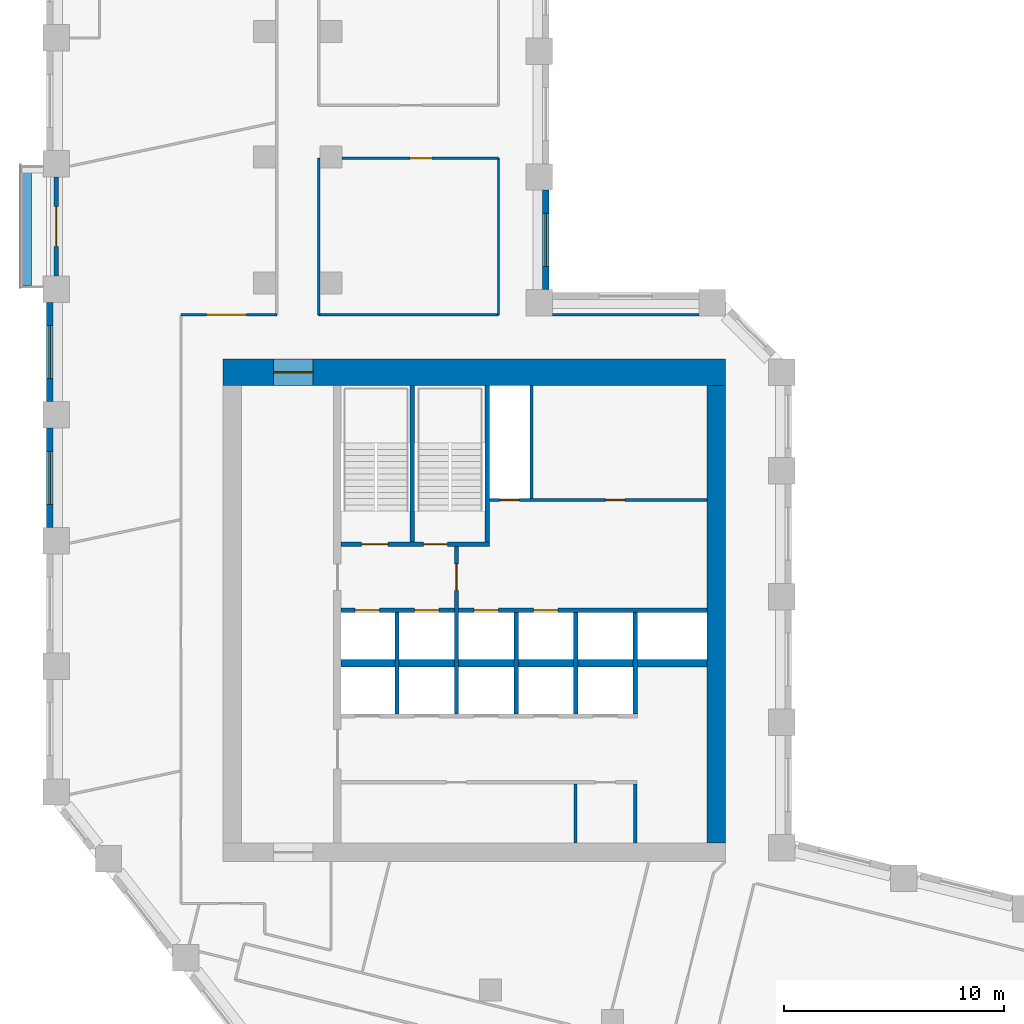
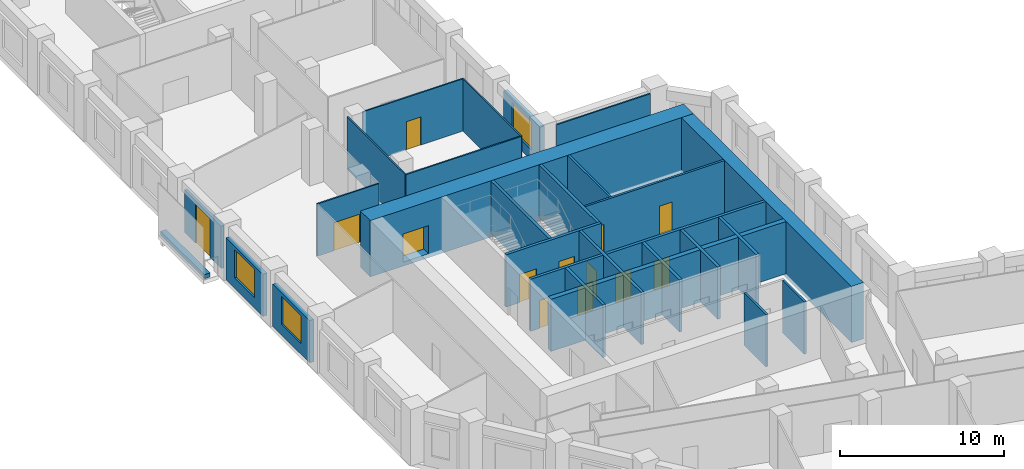
# One storey, part 5 of 10: 27 walls, 13 doors, 3 windows, 16 openings.
"""IFC4 building model written with IfcOpenShell, lengths in metres."""

import ifcopenshell
import ifcopenshell.guid

model = None  # the IFC model being written
_history = None  # IfcOwnerHistory: only IFC2X3 demands one
_inside = {}  # id of a spatial element -> (the spatial element, [elements in it])
_under = {}  # id of a project, library or spatial element -> (it, [spatial elements below it])
_declared = {}  # id of a project -> (the project, [libraries it declares])
_typed = {}  # id of a type object -> (the type object, [elements of that type])
_made_of = {}  # id of a material, layer set ... -> (it, [elements and type objects made of it])


def new_model(schema):
    """Start an empty IFC model of exactly this schema.

    Asked for "IFC4X3", IfcOpenShell would pick the latest addendum, in which some entities
    have other attributes; the version numbers below select the first issue.
    IFC2X3 requires an IfcOwnerHistory on every rooted entity: one is made here for all.
    """
    global model, _history
    if schema == "IFC4X3":
        model = ifcopenshell.file(schema_version=(4, 3, 0, 0))
    else:
        model = ifcopenshell.file(schema=schema)
    _inside.clear()
    _under.clear()
    _declared.clear()
    _typed.clear()
    _made_of.clear()
    _history = None
    if model.schema == "IFC2X3":
        org = make("IfcOrganization", Name="unknown")
        user = make(
            "IfcPersonAndOrganization",
            ThePerson=make("IfcPerson", FamilyName="unknown"),
            TheOrganization=org,
        )
        app = make(
            "IfcApplication",
            ApplicationDeveloper=org,
            Version="unknown",
            ApplicationFullName="unknown",
            ApplicationIdentifier="unknown",
        )
        _history = make(
            "IfcOwnerHistory",
            OwningUser=user,
            OwningApplication=app,
            ChangeAction="ADDED",
            CreationDate=0,
        )
    return model


def make(cls, **values):
    """One entity of the class cls with the attributes given. An attribute that is None is left unset."""
    return model.create_entity(
        cls, **{name: value for name, value in values.items() if value is not None}
    )


def rooted(cls, **values):
    """An entity with a GlobalId (a new one), such as an element, a storey or a relation."""
    return make(cls, GlobalId=ifcopenshell.guid.new(), OwnerHistory=_history, **values)


def si_unit(unit_type, name, prefix=None):
    """IfcSIUnit, for example si_unit("LENGTHUNIT", "METRE", prefix="MILLI")."""
    return make("IfcSIUnit", UnitType=unit_type, Prefix=prefix, Name=name)


def assignment(units):
    """IfcUnitAssignment: the units of a project."""
    return None if units is None else make("IfcUnitAssignment", Units=units)


def point(xyz):
    """IfcCartesianPoint."""
    return None if xyz is None else make("IfcCartesianPoint", Coordinates=xyz)


def direction(xyz):
    """IfcDirection."""
    return None if xyz is None else make("IfcDirection", DirectionRatios=xyz)


def frame(location, z_axis=None, x_axis=None):
    """IfcAxis2Placement3D, a coordinate frame: its origin and axes. An axis left out is left unset."""
    return make(
        "IfcAxis2Placement3D",
        Location=point(location),
        Axis=direction(z_axis),
        RefDirection=direction(x_axis),
    )


def frame_2d(location, x_axis=None):
    """IfcAxis2Placement2D, a coordinate frame in the plane: its origin and x axis."""
    return make(
        "IfcAxis2Placement2D", Location=point(location), RefDirection=direction(x_axis)
    )


def origin():
    """The frame at (0, 0, 0) with its axes left unset."""
    return frame((0.0, 0.0, 0.0))


def place(relative_to, where):
    """IfcLocalPlacement: puts the frame where relative to a parent placement (None: the world)."""
    return make(
        "IfcLocalPlacement", PlacementRelTo=relative_to, RelativePlacement=where
    )


def context(
    kind, dimensions, precision=None, world=None, true_north=None, identifier=None
):
    """IfcGeometricRepresentationContext, for example the 3D "Model" context."""
    return make(
        "IfcGeometricRepresentationContext",
        ContextIdentifier=identifier,
        ContextType=kind,
        CoordinateSpaceDimension=dimensions,
        Precision=precision,
        WorldCoordinateSystem=world,
        TrueNorth=true_north,
    )


def subcontext(parent, identifier, kind, view, scale=None):
    """IfcGeometricRepresentationSubContext, for example "Body" below "Model"."""
    return make(
        "IfcGeometricRepresentationSubContext",
        ContextIdentifier=identifier,
        ContextType=kind,
        ParentContext=parent,
        TargetScale=scale,
        TargetView=view,
    )


def project(units=None, contexts=None):
    """IfcProject with its units and contexts."""
    return rooted(
        "IfcProject",
        Name="project",
        RepresentationContexts=contexts,
        UnitsInContext=assignment(units),
    )


def spatial(cls, under=None, at=None, **own):
    """A site, building, storey or space (cls), placed at a placement, below another one or the project."""
    s = rooted(cls, ObjectPlacement=at, **own)
    if under is not None:
        _under.setdefault(under.id(), (under, []))[1].append(s)
    return s


def profile(cls, at=None, kind="AREA", **sizes):
    """A parametric profile (cls). Its sizes go by their IFC names, for example OverallWidth=200.0."""
    return make(cls, ProfileType=kind, Position=at, **sizes)


def rectangle(**sizes):
    """IfcRectangleProfileDef."""
    return profile("IfcRectangleProfileDef", **sizes)


def extrude(swept, where, along, depth):
    """IfcExtrudedAreaSolid: the profile swept, set in the frame where, extruded along a direction by depth."""
    return make(
        "IfcExtrudedAreaSolid",
        SweptArea=swept,
        Position=where,
        ExtrudedDirection=direction(along),
        Depth=depth,
    )


def shape(context_of_items, identifier, shape_type, items):
    """IfcShapeRepresentation: the items that make up one representation, for example the "Body"."""
    return make(
        "IfcShapeRepresentation",
        ContextOfItems=context_of_items,
        RepresentationIdentifier=identifier,
        RepresentationType=shape_type,
        Items=items,
    )


def material(Name=None, Category=None):
    """IfcMaterial."""
    return make("IfcMaterial", Name=Name, Category=Category)


def layer(
    of_material, thickness, ventilated=None, Name=None, Category=None, Priority=None
):
    """IfcMaterialLayer: one layer of a wall or slab, of a material (None: an air gap)."""
    return make(
        "IfcMaterialLayer",
        Material=of_material,
        LayerThickness=thickness,
        IsVentilated=ventilated,
        Name=Name,
        Category=Category,
        Priority=Priority,
    )


def layer_set(layers, Name=None):
    """IfcMaterialLayerSet."""
    return make("IfcMaterialLayerSet", MaterialLayers=layers, LayerSetName=Name)


def made_of(thing, what):
    """Note that an element or type object is made of a material, layer set ...; save() writes the relation."""
    if what is not None:
        _made_of.setdefault(what.id(), (what, []))[1].append(thing)
    return thing


def type_object(cls, material=None, **own):
    """A type object (cls), such as IfcWallType, which elements share."""
    return made_of(rooted(cls, **own), material)


def element(
    cls,
    number,
    at=None,
    inside=None,
    cuts=None,
    type_object=None,
    material=None,
    context=None,
    identifier="Body",
    shape_type=None,
    held_by="IfcProductDefinitionShape",
    body=None,
    shapes=None,
    **own,
):
    """One element of the class cls, such as IfcWall. Its Tag is "e" and its number.

    at: its placement. inside: the storey or other place that contains it. cuts: it is an
    opening in that element (IfcRelVoidsElement). A single representation is given by context,
    identifier, shape_type and body (its items); several are given by shapes. held_by: the class
    of the entity that holds the representations. save() writes the other relations.
    """
    e = rooted(cls, Tag="e%d" % number, ObjectPlacement=at, **own)
    if body is not None:
        shapes = [shape(context, identifier, shape_type, body)]
    if shapes is not None:
        e.Representation = make(held_by, Representations=shapes)
    if inside is not None:
        _inside.setdefault(inside.id(), (inside, []))[1].append(e)
    if cuts is not None:
        rooted(
            "IfcRelVoidsElement", RelatingBuildingElement=cuts, RelatedOpeningElement=e
        )
    if type_object is not None:
        _typed.setdefault(type_object.id(), (type_object, []))[1].append(e)
    return made_of(e, material)


def fill(opening, filler):
    """IfcRelFillsElement: the door or window that sits in an opening."""
    return rooted(
        "IfcRelFillsElement",
        RelatingOpeningElement=opening,
        RelatedBuildingElement=filler,
    )


def aggregate(whole, parts):
    """IfcRelAggregates: a whole, such as a stair, and the parts it consists of."""
    return rooted("IfcRelAggregates", RelatingObject=whole, RelatedObjects=parts)


def save(model, path):
    """Write the relations noted so far, then the file.

    IfcRelAggregates (storeys below a building ...), IfcRelContainedInSpatialStructure (elements
    in a storey), IfcRelDefinesByType, IfcRelAssociatesMaterial and IfcRelDeclares: one each for
    every whole, place, type object, material and project.
    """
    for whole, parts in _under.values():
        aggregate(whole, parts)
    for where, things in _inside.values():
        rooted(
            "IfcRelContainedInSpatialStructure",
            RelatedElements=things,
            RelatingStructure=where,
        )
    for kind, things in _typed.values():
        rooted("IfcRelDefinesByType", RelatedObjects=things, RelatingType=kind)
    for what, things in _made_of.values():
        rooted("IfcRelAssociatesMaterial", RelatedObjects=things, RelatingMaterial=what)
    for by, libraries in _declared.values():
        rooted("IfcRelDeclares", RelatingContext=by, RelatedDefinitions=libraries)
    model.write(path)


model = new_model("IFC4")

# Units and contexts
model_context = context("Model", 3, precision=1e-05, world=origin(), true_north=direction((0.0, 1.0)))
body_context = subcontext(model_context, "Body", "Model", "MODEL_VIEW")
ifc_project = project(units=[si_unit("LENGTHUNIT", "METRE"), si_unit("AREAUNIT", "SQUARE_METRE"), si_unit("VOLUMEUNIT", "CUBIC_METRE"), si_unit("PLANEANGLEUNIT", "RADIAN"), si_unit("MASSUNIT", "GRAM", prefix="KILO")], contexts=[model_context])

# Site, building, storey
site_placement = place(None, origin())
site = spatial("IfcSite", under=ifc_project, at=site_placement, CompositionType="ELEMENT")
building_placement = place(site_placement, origin())
building = spatial("IfcBuilding", under=site, at=building_placement, Name="Meshkara Civic Tower", CompositionType="ELEMENT")
storey_placement = place(building_placement, frame((0.0, 0.0, 174.0)))
storey = spatial("IfcBuildingStorey", under=building, at=storey_placement, Name="L39", CompositionType="ELEMENT", Elevation=174.0)

# Wall, openings, doors
ifc_material_1 = material(Name="Blockwork", Category="masonry")
ifc_layer_1 = layer(ifc_material_1, 0.14990234375)
ifc_layer_set_1 = layer_set([ifc_layer_1], Name="Core partition 150")
wall_type_1 = type_object("IfcWallType", Name="Core partition 150", PredefinedType="PARTITIONING", material=ifc_layer_set_1)
wall_1_placement = place(storey_placement, frame((20.10009765625, 30.5, 0.0), z_axis=(0.0, 0.0, 1.0), x_axis=(1.0, 0.0, 0.0)))
wall_1 = element("IfcWall", 1, at=wall_1_placement, inside=storey, type_object=wall_type_1, Name="L39-C010", PredefinedType="PARTITIONING", context=body_context, shape_type="SweptSolid", body=[
    extrude(rectangle(XDim=9.849853515625, YDim=0.14990234375, at=frame_2d((4.9248046875, 0.0))), origin(), (0.0, 0.0, 1.0), 3.89990234375),
])
opening_1_placement = place(wall_1_placement, frame((0.449951171875, 0.0, 0.0)))
opening_1 = element("IfcOpeningElement", 2, at=opening_1_placement, cuts=wall_1, Name="Opening L39-K012", PredefinedType="OPENING", context=body_context, shape_type="SweptSolid", body=[
    extrude(rectangle(XDim=0.89990234375, YDim=2.10009765625, at=frame_2d((0.449951171875, 1.050048828125))), frame((0.0, 0.0849609375, 0.0), z_axis=(0.0, -1.0, 0.0), x_axis=(1.0, 0.0, 0.0)), (0.0, 0.0, 1.0), 0.169921875),
])
opening_2_placement = place(wall_1_placement, frame((5.25, 0.0, 0.0)))
opening_2 = element("IfcOpeningElement", 3, at=opening_2_placement, cuts=wall_1, Name="Opening L39-K013", PredefinedType="OPENING", context=body_context, shape_type="SweptSolid", body=[
    extrude(rectangle(XDim=0.89990234375, YDim=2.10009765625, at=frame_2d((0.449951171875, 1.050048828125))), frame((0.0, 0.0849609375, 0.0), z_axis=(0.0, -1.0, 0.0), x_axis=(1.0, 0.0, 0.0)), (0.0, 0.0, 1.0), 0.169921875),
])
ifc_material_2 = material(Name="Timber door leaf in steel frame", Category="steel")
door_type_1 = type_object("IfcDoorType", Name="Core room door 900", OperationType="SINGLE_SWING_LEFT", PredefinedType="DOOR", material=ifc_material_2)
door_1_placement = place(opening_2_placement, origin())
door_1 = element("IfcDoor", 4, at=door_1_placement, inside=storey, type_object=door_type_1, Name="L39-K013", OperationType="SINGLE_SWING_LEFT", OverallHeight=2.10009765625, OverallWidth=0.89990234375, PredefinedType="DOOR", context=body_context, shape_type="SweptSolid", body=[
    extrude(rectangle(XDim=0.89990234375, YDim=2.10009765625, at=frame_2d((0.449951171875, 1.050048828125))), frame((0.0, 0.02490234375, 0.0), z_axis=(0.0, -1.0, 0.0), x_axis=(1.0, 0.0, 0.0)), (0.0, 0.0, 1.0), 0.050048828125),
])
fill(opening_2, door_1)
ifc_material_3 = material(Name="Fire-rated door leaf in steel frame", Category="steel")
door_type_2 = type_object("IfcDoorType", Name="Riser door 900", OperationType="SINGLE_SWING_LEFT", PredefinedType="DOOR", material=ifc_material_3)
door_2_placement = place(opening_1_placement, origin())
door_2 = element("IfcDoor", 5, at=door_2_placement, inside=storey, type_object=door_type_2, Name="L39-K012", OperationType="SINGLE_SWING_RIGHT", OverallHeight=2.10009765625, OverallWidth=0.89990234375, PredefinedType="DOOR", context=body_context, shape_type="SweptSolid", body=[
    extrude(rectangle(XDim=0.89990234375, YDim=2.10009765625, at=frame_2d((0.449951171875, 1.050048828125))), frame((0.0, 0.02490234375, 0.0), z_axis=(0.0, -1.0, 0.0), x_axis=(1.0, 0.0, 0.0)), (0.0, 0.0, 1.0), 0.050048828125),
])
fill(opening_1, door_2)

# Walls
wall_2_placement = place(storey_placement, frame((22.0, 30.574951171875, 0.0), z_axis=(0.0, 0.0, 1.0), x_axis=(0.0, 1.0, 0.0)))
element("IfcWall", 6, at=wall_2_placement, inside=storey, type_object=wall_type_1, Name="L39-C017", PredefinedType="PARTITIONING", context=body_context, shape_type="SweptSolid", body=[
    extrude(rectangle(XDim=5.125, YDim=0.14990234375, at=frame_2d((2.5625, 0.0))), origin(), (0.0, 0.0, 1.0), 3.89990234375),
])
for number, where, z_axis, x_axis, name in (
    (7, (24.0, 14.949951171875, 0.0), (0.0, 0.0, 1.0), (0.0, 1.0, 0.0), "L39-C018"),
    (8, (26.699951171875, 14.949951171875, 0.0), (0.0, 0.0, 1.0), (0.0, 1.0, 0.0), "L39-C020"),
):
    element("IfcWall", number, at=place(storey_placement, frame(where, z_axis=z_axis, x_axis=x_axis)), inside=storey, type_object=wall_type_1, Name=name, PredefinedType="PARTITIONING", context=body_context, shape_type="SweptSolid", body=[
        extrude(rectangle(XDim=2.675048828125, YDim=0.14990234375, at=frame_2d((1.33740234375, 0.0))), origin(), (0.0, 0.0, 1.0), 3.89990234375),
    ])

# Wall, opening, door
ifc_material_4 = material(Name="Concrete C70", Category="concrete")
ifc_layer_2 = layer(ifc_material_4, 1.199951171875)
ifc_layer_set_2 = layer_set([ifc_layer_2], Name="Core ring wall 1200 C70")
wall_type_2 = type_object("IfcWallType", Name="Core ring wall 1200 C70", PredefinedType="SHEAR", material=ifc_layer_set_2)
wall_3_placement = place(storey_placement, frame((8.0, 36.300048828125, -0.300048828125), z_axis=(0.0, 0.0, 1.0), x_axis=(1.0, 0.0, 0.0)))
wall_3 = element("IfcWall", 9, at=wall_3_placement, inside=storey, type_object=wall_type_2, Name="L39-C002", PredefinedType="SHEAR", context=body_context, shape_type="SweptSolid", body=[
    extrude(rectangle(XDim=22.800048828125, YDim=1.199951171875, at=frame_2d((11.39990234375, 0.0))), origin(), (0.0, 0.0, 1.0), 4.199951171875),
])
opening_3_placement = place(wall_3_placement, frame((2.300048828125, 0.0, 0.300048828125)))
opening_3 = element("IfcOpeningElement", 10, at=opening_3_placement, cuts=wall_3, Name="Opening L39-K019", PredefinedType="OPENING", context=body_context, shape_type="SweptSolid", body=[
    extrude(rectangle(XDim=1.800048828125, YDim=2.10009765625, at=frame_2d((0.89990234375, 1.050048828125))), frame((0.0, 0.60986328125, 0.0), z_axis=(0.0, -1.0, 0.0), x_axis=(1.0, 0.0, 0.0)), (0.0, 0.0, 1.0), 1.219970703125),
])
ifc_material_5 = material(Name="Fire-rated door leaf in steel frame", Category="steel")
door_type_3 = type_object("IfcDoorType", Name="Core double door 1800 EI 60", OperationType="DOUBLE_DOOR_SINGLE_SWING", PredefinedType="DOOR", material=ifc_material_5)
door_3_placement = place(opening_3_placement, origin())
door_3 = element("IfcDoor", 11, at=door_3_placement, inside=storey, type_object=door_type_3, Name="L39-K019", OperationType="DOUBLE_DOOR_SINGLE_SWING", OverallHeight=2.10009765625, OverallWidth=1.800048828125, PredefinedType="DOOR", context=body_context, shape_type="SweptSolid", body=[
    extrude(rectangle(XDim=1.800048828125, YDim=2.10009765625, at=frame_2d((0.89990234375, 1.050048828125))), frame((0.0, 0.02490234375, 0.0), z_axis=(0.0, -1.0, 0.0), x_axis=(1.0, 0.0, 0.0)), (0.0, 0.0, 1.0), 0.050048828125),
])
fill(opening_3, door_3)

# Walls
ifc_material_6 = material(Name="Concrete C70", Category="concrete")
ifc_layer_3 = layer(ifc_material_6, 0.85009765625)
ifc_layer_set_3 = layer_set([ifc_layer_3], Name="Core ring wall 850 C70")
wall_type_3 = type_object("IfcWallType", Name="Core ring wall 850 C70", PredefinedType="SHEAR", material=ifc_layer_set_3)
wall_4_placement = place(storey_placement, frame((30.375, 14.949951171875, -0.300048828125), z_axis=(0.0, 0.0, 1.0), x_axis=(0.0, 1.0, 0.0)))
element("IfcWall", 12, at=wall_4_placement, inside=storey, type_object=wall_type_3, Name="L39-C004", PredefinedType="SHEAR", context=body_context, shape_type="SweptSolid", body=[
    extrude(rectangle(XDim=20.75, YDim=0.85009765625, at=frame_2d((10.375, 0.0))), origin(), (0.0, 0.0, 1.0), 4.199951171875),
])
ifc_material_7 = material(Name="Concrete C70", Category="concrete")
ifc_layer_4 = layer(ifc_material_7, 0.340087890625)
ifc_layer_set_4 = layer_set([ifc_layer_4], Name="Core shear wall 340 C70")
wall_type_4 = type_object("IfcWallType", Name="Core shear wall 340 C70", PredefinedType="SHEAR", material=ifc_layer_set_4)
wall_5_placement = place(storey_placement, frame((13.3701171875, 23.10009765625, 0.0), z_axis=(0.0, 0.0, 1.0), x_axis=(1.0, 0.0, 0.0)))
element("IfcWall", 13, at=wall_5_placement, inside=storey, type_object=wall_type_4, Name="L39-C007", PredefinedType="SHEAR", context=body_context, shape_type="SweptSolid", body=[
    extrude(rectangle(XDim=16.579833984375, YDim=0.340087890625, at=frame_2d((8.2900390625, 0.0))), origin(), (0.0, 0.0, 1.0), 3.89990234375),
])

# Wall, opening, door
ifc_material_8 = material(Name="Corridor wall 100")
ifc_layer_5 = layer(ifc_material_8, 0.10009765625)
ifc_layer_set_5 = layer_set([ifc_layer_5], Name="Corridor wall 100")
wall_type_5 = type_object("IfcWallType", Name="Corridor wall 100", PredefinedType="PARTITIONING", material=ifc_layer_set_5)
wall_6_placement = place(storey_placement, frame((10.449951171875, 38.89990234375, 0.0), z_axis=(0.0, 0.0, 1.0), x_axis=(-1.0, 0.0, 0.0)))
wall_6 = element("IfcWall", 14, at=wall_6_placement, inside=storey, type_object=wall_type_5, Name="L39-W011", PredefinedType="PARTITIONING", context=body_context, shape_type="SweptSolid", body=[
    extrude(rectangle(XDim=4.349853515625, YDim=0.10009765625, at=frame_2d((2.1748046875, 0.0))), origin(), (0.0, 0.0, 1.0), 3.89990234375),
])
opening_4_placement = place(wall_6_placement, frame((1.3798828125, 0.0, 0.0)))
opening_4 = element("IfcOpeningElement", 15, at=opening_4_placement, cuts=wall_6, Name="Opening L39-D017", PredefinedType="OPENING", context=body_context, shape_type="SweptSolid", body=[
    extrude(rectangle(XDim=1.800048828125, YDim=2.10009765625, at=frame_2d((0.89990234375, 1.050048828125))), frame((0.0, 0.06005859375, 0.0), z_axis=(0.0, -1.0, 0.0), x_axis=(1.0, 0.0, 0.0)), (0.0, 0.0, 1.0), 0.1201171875),
])
ifc_material_9 = material(Name="Door pair 1800 x 2100")
door_type_4 = type_object("IfcDoorType", Name="Door pair 1800 x 2100", OperationType="SINGLE_SWING_LEFT", PredefinedType="DOOR", material=ifc_material_9)
door_4_placement = place(opening_4_placement, origin())
door_4 = element("IfcDoor", 16, at=door_4_placement, inside=storey, type_object=door_type_4, Name="L39-D017", OperationType="DOUBLE_DOOR_SINGLE_SWING", OverallHeight=2.10009765625, OverallWidth=1.800048828125, PredefinedType="DOOR", context=body_context, shape_type="SweptSolid", body=[
    extrude(rectangle(XDim=1.800048828125, YDim=2.10009765625, at=frame_2d((0.89990234375, 1.050048828125))), frame((0.0, 0.02490234375, 0.0), z_axis=(0.0, -1.0, 0.0), x_axis=(1.0, 0.0, 0.0)), (0.0, 0.0, 1.0), 0.050048828125),
])
fill(opening_4, door_4)

# Wall
wall_7_placement = place(storey_placement, frame((12.35009765625, 38.89990234375, 0.0), z_axis=(0.0, 0.0, 1.0), x_axis=(0.0, 1.0, 0.0)))
element("IfcWall", 17, at=wall_7_placement, inside=storey, type_object=wall_type_5, Name="L39-W013", PredefinedType="PARTITIONING", context=body_context, shape_type="SweptSolid", body=[
    extrude(rectangle(XDim=7.10009765625, YDim=0.10009765625, at=frame_2d((3.550048828125, 0.0))), origin(), (0.0, 0.0, 1.0), 3.89990234375),
])

# Wall, opening, door
wall_8_placement = place(storey_placement, frame((13.39990234375, 46.0, 0.0), z_axis=(0.0, 0.0, 1.0), x_axis=(1.0, 0.0, 0.0)))
wall_8 = element("IfcWall", 18, at=wall_8_placement, inside=storey, type_object=wall_type_5, Name="L39-W017", PredefinedType="PARTITIONING", context=body_context, shape_type="SweptSolid", body=[
    extrude(rectangle(XDim=7.10009765625, YDim=0.10009765625, at=frame_2d((3.550048828125, 0.0))), origin(), (0.0, 0.0, 1.0), 3.89990234375),
])
opening_5_placement = place(wall_8_placement, frame((3.080078125, 0.0, 0.0)))
opening_5 = element("IfcOpeningElement", 19, at=opening_5_placement, cuts=wall_8, Name="Opening L39-D018", PredefinedType="OPENING", context=body_context, shape_type="SweptSolid", body=[
    extrude(rectangle(XDim=1.0, YDim=2.10009765625, at=frame_2d((0.5, 1.050048828125))), frame((0.0, 0.06005859375, 0.0), z_axis=(0.0, -1.0, 0.0), x_axis=(1.0, 0.0, 0.0)), (0.0, 0.0, 1.0), 0.1201171875),
])
ifc_material_10 = material(Name="Door 1000 x 2100")
door_type_5 = type_object("IfcDoorType", Name="Door 1000 x 2100", OperationType="SINGLE_SWING_LEFT", PredefinedType="DOOR", material=ifc_material_10)
door_5_placement = place(opening_5_placement, origin())
door_5 = element("IfcDoor", 20, at=door_5_placement, inside=storey, type_object=door_type_5, Name="L39-D018", OperationType="SINGLE_SWING_LEFT", OverallHeight=2.10009765625, OverallWidth=1.0, PredefinedType="DOOR", context=body_context, shape_type="SweptSolid", body=[
    extrude(rectangle(XDim=1.0, YDim=2.10009765625, at=frame_2d((0.5, 1.050048828125))), frame((0.0, 0.02490234375, 0.0), z_axis=(0.0, -1.0, 0.0), x_axis=(1.0, 0.0, 0.0)), (0.0, 0.0, 1.0), 0.050048828125),
])
fill(opening_5, door_5)

# Walls
wall_9_placement = place(storey_placement, frame((20.5, 38.89990234375, 0.0), z_axis=(0.0, 0.0, 1.0), x_axis=(-1.0, 0.0, 0.0)))
element("IfcWall", 21, at=wall_9_placement, inside=storey, type_object=wall_type_5, Name="L39-W020", PredefinedType="PARTITIONING", context=body_context, shape_type="SweptSolid", body=[
    extrude(rectangle(XDim=8.14990234375, YDim=0.10009765625, at=frame_2d((4.074951171875, 0.0))), origin(), (0.0, 0.0, 1.0), 3.89990234375),
])
wall_10_placement = place(storey_placement, frame((20.5, 46.0, 0.0), z_axis=(0.0, 0.0, 1.0), x_axis=(0.0, -1.0, 0.0)))
element("IfcWall", 22, at=wall_10_placement, inside=storey, type_object=wall_type_5, Name="L39-W021", PredefinedType="PARTITIONING", context=body_context, shape_type="SweptSolid", body=[
    extrude(rectangle(XDim=7.10009765625, YDim=0.10009765625, at=frame_2d((3.550048828125, 0.0))), origin(), (0.0, 0.0, 1.0), 3.89990234375),
])
wall_11_placement = place(storey_placement, frame((29.593994140625, 38.89990234375, 0.0), z_axis=(0.0, 0.0, 1.0), x_axis=(-1.0, 0.0, 0.0)))
element("IfcWall", 23, at=wall_11_placement, inside=storey, type_object=wall_type_5, Name="L39-W025", PredefinedType="PARTITIONING", context=body_context, shape_type="SweptSolid", body=[
    extrude(rectangle(XDim=6.64404296875, YDim=0.10009765625, at=frame_2d((3.322021484375, 0.0))), origin(), (0.0, 0.0, 1.0), 3.89990234375),
])

# Wall, opening, window
ifc_material_11 = material(Name="Insulated infill panel with bronze anodised aluminium cladding", Category="aluminium")
ifc_layer_6 = layer(ifc_material_11, 0.300048828125)
ifc_layer_set_6 = layer_set([ifc_layer_6], Name="EXTERNAL INFILL WALL 300")
wall_type_6 = type_object("IfcWallType", Name="EXTERNAL INFILL WALL 300", PredefinedType="SOLIDWALL", material=ifc_layer_set_6)
wall_12_placement = place(storey_placement, frame((22.64990234375, 40.050048828125, 0.0), z_axis=(0.0, 0.0, 1.0), x_axis=(0.0, 1.0, 0.0)))
wall_12 = element("IfcWall", 24, at=wall_12_placement, inside=storey, type_object=wall_type_6, Name="External wall", PredefinedType="SOLIDWALL", context=body_context, shape_type="SweptSolid", body=[
    extrude(rectangle(XDim=4.5, YDim=0.300048828125, at=frame_2d((2.25, 0.0))), origin(), (0.0, 0.0, 1.0), 3.14990234375),
])
opening_6_placement = place(wall_12_placement, frame((1.050048828125, 0.0, 0.800048828125)))
opening_6 = element("IfcOpeningElement", 25, at=opening_6_placement, cuts=wall_12, Name="Opening W7", PredefinedType="OPENING", context=body_context, shape_type="SweptSolid", body=[
    extrude(rectangle(XDim=2.39990234375, YDim=2.10009765625, at=frame_2d((1.199951171875, 1.050048828125))), frame((0.0, 0.159912109375, 0.0), z_axis=(0.0, -1.0, 0.0), x_axis=(1.0, 0.0, 0.0)), (0.0, 0.0, 1.0), 0.320068359375),
])
ifc_material_12 = material(Name="Tinted double glazing", Category="glass")
window_type = type_object("IfcWindowType", Name="WINDOW 2400x2100", PartitioningType="DOUBLE_PANEL_VERTICAL", PredefinedType="WINDOW", material=ifc_material_12)
window_1_placement = place(opening_6_placement, origin())
window_1 = element("IfcWindow", 26, at=window_1_placement, inside=storey, type_object=window_type, Name="Window", OverallHeight=2.10009765625, OverallWidth=2.39990234375, PartitioningType="DOUBLE_PANEL_VERTICAL", PredefinedType="WINDOW", context=body_context, shape_type="SweptSolid", body=[
    extrude(rectangle(XDim=2.39990234375, YDim=2.10009765625, at=frame_2d((1.199951171875, 1.050048828125))), frame((0.0, 0.030029296875, 0.0), z_axis=(0.0, -1.0, 0.0), x_axis=(1.0, 0.0, 0.0)), (0.0, 0.0, 1.0), 0.06005859375),
])
fill(opening_6, window_1)

wall_13_placement = place(storey_placement, frame((0.14990234375, 39.455078125, 0.0), z_axis=(0.0, 0.0, 1.0), x_axis=(0.0, -1.0, 0.0)))
wall_13 = element("IfcWall", 27, at=wall_13_placement, inside=storey, type_object=wall_type_6, Name="External wall", PredefinedType="SOLIDWALL", context=body_context, shape_type="SweptSolid", body=[
    extrude(rectangle(XDim=4.5, YDim=0.300048828125, at=frame_2d((2.25, 0.0))), origin(), (0.0, 0.0, 1.0), 3.14990234375),
])
opening_7_placement = place(wall_13_placement, frame((1.050048828125, 0.0, 0.800048828125)))
opening_7 = element("IfcOpeningElement", 28, at=opening_7_placement, cuts=wall_13, Name="Opening W7", PredefinedType="OPENING", context=body_context, shape_type="SweptSolid", body=[
    extrude(rectangle(XDim=2.39990234375, YDim=2.10009765625, at=frame_2d((1.199951171875, 1.050048828125))), frame((0.0, 0.159912109375, 0.0), z_axis=(0.0, -1.0, 0.0), x_axis=(1.0, 0.0, 0.0)), (0.0, 0.0, 1.0), 0.320068359375),
])
window_2_placement = place(opening_7_placement, origin())
window_2 = element("IfcWindow", 29, at=window_2_placement, inside=storey, type_object=window_type, Name="Window", OverallHeight=2.10009765625, OverallWidth=2.39990234375, PartitioningType="DOUBLE_PANEL_VERTICAL", PredefinedType="WINDOW", context=body_context, shape_type="SweptSolid", body=[
    extrude(rectangle(XDim=2.39990234375, YDim=2.10009765625, at=frame_2d((1.199951171875, 1.050048828125))), frame((0.0, 0.030029296875, 0.0), z_axis=(0.0, -1.0, 0.0), x_axis=(1.0, 0.0, 0.0)), (0.0, 0.0, 1.0), 0.06005859375),
])
fill(opening_7, window_2)

wall_14_placement = place(storey_placement, frame((0.14990234375, 33.7548828125, 0.0), z_axis=(0.0, 0.0, 1.0), x_axis=(0.0, -1.0, 0.0)))
wall_14 = element("IfcWall", 30, at=wall_14_placement, inside=storey, type_object=wall_type_6, Name="External wall", PredefinedType="SOLIDWALL", context=body_context, shape_type="SweptSolid", body=[
    extrude(rectangle(XDim=4.5, YDim=0.300048828125, at=frame_2d((2.25, 0.0))), origin(), (0.0, 0.0, 1.0), 3.14990234375),
])
opening_8_placement = place(wall_14_placement, frame((1.050048828125, 0.0, 0.800048828125)))
opening_8 = element("IfcOpeningElement", 31, at=opening_8_placement, cuts=wall_14, Name="Opening W7", PredefinedType="OPENING", context=body_context, shape_type="SweptSolid", body=[
    extrude(rectangle(XDim=2.39990234375, YDim=2.10009765625, at=frame_2d((1.199951171875, 1.050048828125))), frame((0.0, 0.159912109375, 0.0), z_axis=(0.0, -1.0, 0.0), x_axis=(1.0, 0.0, 0.0)), (0.0, 0.0, 1.0), 0.320068359375),
])
window_3_placement = place(opening_8_placement, origin())
window_3 = element("IfcWindow", 32, at=window_3_placement, inside=storey, type_object=window_type, Name="Window", OverallHeight=2.10009765625, OverallWidth=2.39990234375, PartitioningType="DOUBLE_PANEL_VERTICAL", PredefinedType="WINDOW", context=body_context, shape_type="SweptSolid", body=[
    extrude(rectangle(XDim=2.39990234375, YDim=2.10009765625, at=frame_2d((1.199951171875, 1.050048828125))), frame((0.0, 0.030029296875, 0.0), z_axis=(0.0, -1.0, 0.0), x_axis=(1.0, 0.0, 0.0)), (0.0, 0.0, 1.0), 0.06005859375),
])
fill(opening_8, window_3)

# Wall, opening, door
ifc_material_13 = material(Name="Insulated infill panel with bronze anodised aluminium cladding", Category="aluminium")
ifc_layer_7 = layer(ifc_material_13, 0.199951171875)
ifc_layer_set_7 = layer_set([ifc_layer_7], Name="LOGGIA BACK WALL 200")
wall_type_7 = type_object("IfcWallType", Name="LOGGIA BACK WALL 200", PredefinedType="SOLIDWALL", material=ifc_layer_set_7)
wall_15_placement = place(storey_placement, frame((0.449951171875, 45.154052734375, 0.0), z_axis=(0.0, 0.0, 1.0), x_axis=(0.0, -1.0, 0.0)))
wall_15 = element("IfcWall", 33, at=wall_15_placement, inside=storey, type_object=wall_type_7, Name="Loggia wall", PredefinedType="SOLIDWALL", context=body_context, shape_type="SweptSolid", body=[
    extrude(rectangle(XDim=4.498046875, YDim=0.199951171875, at=frame_2d((2.2490234375, 0.0))), origin(), (0.0, 0.0, 1.0), 3.14990234375),
])
opening_9_placement = place(wall_15_placement, frame((1.35009765625, 0.0, 0.0)))
opening_9 = element("IfcOpeningElement", 34, at=opening_9_placement, cuts=wall_15, Name="Opening L39-L001", PredefinedType="OPENING", context=body_context, shape_type="SweptSolid", body=[
    extrude(rectangle(XDim=1.800048828125, YDim=2.89990234375, at=frame_2d((0.89990234375, 1.449951171875))), frame((0.0, 0.10986328125, 0.0), z_axis=(0.0, -1.0, 0.0), x_axis=(1.0, 0.0, 0.0)), (0.0, 0.0, 1.0), 0.219970703125),
])
ifc_material_14 = material(Name="Tinted double glazing", Category="glass")
door_type_6 = type_object("IfcDoorType", Name="LOGGIA DOOR 1800x2900", OperationType="DOUBLE_DOOR_SINGLE_SWING", PredefinedType="DOOR", material=ifc_material_14)
door_6_placement = place(opening_9_placement, origin())
door_6 = element("IfcDoor", 35, at=door_6_placement, inside=storey, type_object=door_type_6, Name="L39-L001", OperationType="DOUBLE_DOOR_SINGLE_SWING", OverallHeight=2.89990234375, OverallWidth=1.800048828125, PredefinedType="DOOR", context=body_context, shape_type="SweptSolid", body=[
    extrude(rectangle(XDim=1.800048828125, YDim=2.89990234375, at=frame_2d((0.89990234375, 1.449951171875))), frame((0.0, 0.02490234375, 0.0), z_axis=(0.0, -1.0, 0.0), x_axis=(1.0, 0.0, 0.0)), (0.0, 0.0, 1.0), 0.050048828125),
])
fill(opening_9, door_6)

# Wall
ifc_material_15 = material(Name="Concrete C40", Category="concrete")
ifc_layer_8 = layer(ifc_material_15, 0.39990234375)
ifc_layer_set_8 = layer_set([ifc_layer_8], Name="PLANTER TRAY")
wall_type_8 = type_object("IfcWallType", Name="PLANTER TRAY", PredefinedType="SOLIDWALL", material=ifc_layer_set_8)
wall_16_placement = place(storey_placement, frame((-0.8798828125, 45.5849609375, 0.0), z_axis=(0.0, 0.0, 1.0), x_axis=(0.0, -1.0, 0.0)))
element("IfcWall", 36, at=wall_16_placement, inside=storey, type_object=wall_type_8, Name="Planter", PredefinedType="SOLIDWALL", context=body_context, shape_type="SweptSolid", body=[
    extrude(rectangle(XDim=5.35986328125, YDim=0.39990234375, at=frame_2d((2.679931640625, 0.0))), origin(), (0.0, 0.0, 1.0), 0.300048828125),
])

# Wall, openings, doors
ifc_material_16 = material(Name="Concrete C40/50", Category="concrete")
ifc_layer_9 = layer(ifc_material_16, 0.199951171875)
ifc_layer_set_9 = layer_set([ifc_layer_9], Name="Shaft wall 200 C40/50")
wall_type_9 = type_object("IfcWallType", Name="Shaft wall 200 C40/50", PredefinedType="SOLIDWALL", material=ifc_layer_set_9)
wall_17_placement = place(storey_placement, frame((13.3701171875, 25.5, 0.0), z_axis=(0.0, 0.0, 1.0), x_axis=(1.0, 0.0, 0.0)))
wall_17 = element("IfcWall", 37, at=wall_17_placement, inside=storey, type_object=wall_type_9, Name="L39-C008", PredefinedType="SOLIDWALL", context=body_context, shape_type="SweptSolid", body=[
    extrude(rectangle(XDim=16.579833984375, YDim=0.199951171875, at=frame_2d((8.2900390625, 0.0))), origin(), (0.0, 0.0, 1.0), 3.89990234375),
])
opening_10_placement = place(wall_17_placement, frame((0.6298828125, 0.0, 0.0)))
opening_10 = element("IfcOpeningElement", 38, at=opening_10_placement, cuts=wall_17, Name="Opening L39-K006", PredefinedType="OPENING", context=body_context, shape_type="SweptSolid", body=[
    extrude(rectangle(XDim=1.10009765625, YDim=2.10009765625, at=frame_2d((0.550048828125, 1.050048828125))), frame((0.0, 0.10986328125, 0.0), z_axis=(0.0, -1.0, 0.0), x_axis=(1.0, 0.0, 0.0)), (0.0, 0.0, 1.0), 0.219970703125),
])
opening_11_placement = place(wall_17_placement, frame((3.330078125, 0.0, 0.0)))
opening_11 = element("IfcOpeningElement", 39, at=opening_11_placement, cuts=wall_17, Name="Opening L39-K007", PredefinedType="OPENING", context=body_context, shape_type="SweptSolid", body=[
    extrude(rectangle(XDim=1.10009765625, YDim=2.10009765625, at=frame_2d((0.550048828125, 1.050048828125))), frame((0.0, 0.10986328125, 0.0), z_axis=(0.0, -1.0, 0.0), x_axis=(1.0, 0.0, 0.0)), (0.0, 0.0, 1.0), 0.219970703125),
])
opening_12_placement = place(wall_17_placement, frame((6.030029296875, 0.0, 0.0)))
opening_12 = element("IfcOpeningElement", 40, at=opening_12_placement, cuts=wall_17, Name="Opening L39-K008", PredefinedType="OPENING", context=body_context, shape_type="SweptSolid", body=[
    extrude(rectangle(XDim=1.10009765625, YDim=2.10009765625, at=frame_2d((0.550048828125, 1.050048828125))), frame((0.0, 0.10986328125, 0.0), z_axis=(0.0, -1.0, 0.0), x_axis=(1.0, 0.0, 0.0)), (0.0, 0.0, 1.0), 0.219970703125),
])
opening_13_placement = place(wall_17_placement, frame((8.72998046875, 0.0, 0.0)))
opening_13 = element("IfcOpeningElement", 41, at=opening_13_placement, cuts=wall_17, Name="Opening L39-K009", PredefinedType="OPENING", context=body_context, shape_type="SweptSolid", body=[
    extrude(rectangle(XDim=1.10009765625, YDim=2.10009765625, at=frame_2d((0.550048828125, 1.050048828125))), frame((0.0, 0.10986328125, 0.0), z_axis=(0.0, -1.0, 0.0), x_axis=(1.0, 0.0, 0.0)), (0.0, 0.0, 1.0), 0.219970703125),
])
ifc_material_17 = material(Name="Stainless steel landing door", Category="steel")
door_type_7 = type_object("IfcDoorType", Name="Lift landing door 1100", OperationType="SLIDING_TO_LEFT", PredefinedType="DOOR", material=ifc_material_17)
door_7_placement = place(opening_10_placement, origin())
door_7 = element("IfcDoor", 42, at=door_7_placement, inside=storey, type_object=door_type_7, Name="L39-K006", OperationType="SLIDING_TO_LEFT", OverallHeight=2.10009765625, OverallWidth=1.10009765625, PredefinedType="DOOR", context=body_context, shape_type="SweptSolid", body=[
    extrude(rectangle(XDim=1.10009765625, YDim=2.10009765625, at=frame_2d((0.550048828125, 1.050048828125))), frame((0.0, 0.02490234375, 0.0), z_axis=(0.0, -1.0, 0.0), x_axis=(1.0, 0.0, 0.0)), (0.0, 0.0, 1.0), 0.050048828125),
])
fill(opening_10, door_7)
door_8_placement = place(opening_11_placement, origin())
door_8 = element("IfcDoor", 43, at=door_8_placement, inside=storey, type_object=door_type_7, Name="L39-K007", OperationType="SLIDING_TO_LEFT", OverallHeight=2.10009765625, OverallWidth=1.10009765625, PredefinedType="DOOR", context=body_context, shape_type="SweptSolid", body=[
    extrude(rectangle(XDim=1.10009765625, YDim=2.10009765625, at=frame_2d((0.550048828125, 1.050048828125))), frame((0.0, 0.02490234375, 0.0), z_axis=(0.0, -1.0, 0.0), x_axis=(1.0, 0.0, 0.0)), (0.0, 0.0, 1.0), 0.050048828125),
])
fill(opening_11, door_8)
door_9_placement = place(opening_12_placement, origin())
door_9 = element("IfcDoor", 44, at=door_9_placement, inside=storey, type_object=door_type_7, Name="L39-K008", OperationType="SLIDING_TO_LEFT", OverallHeight=2.10009765625, OverallWidth=1.10009765625, PredefinedType="DOOR", context=body_context, shape_type="SweptSolid", body=[
    extrude(rectangle(XDim=1.10009765625, YDim=2.10009765625, at=frame_2d((0.550048828125, 1.050048828125))), frame((0.0, 0.02490234375, 0.0), z_axis=(0.0, -1.0, 0.0), x_axis=(1.0, 0.0, 0.0)), (0.0, 0.0, 1.0), 0.050048828125),
])
fill(opening_12, door_9)
door_10_placement = place(opening_13_placement, origin())
door_10 = element("IfcDoor", 45, at=door_10_placement, inside=storey, type_object=door_type_7, Name="L39-K009", OperationType="SLIDING_TO_LEFT", OverallHeight=2.10009765625, OverallWidth=1.10009765625, PredefinedType="DOOR", context=body_context, shape_type="SweptSolid", body=[
    extrude(rectangle(XDim=1.10009765625, YDim=2.10009765625, at=frame_2d((0.550048828125, 1.050048828125))), frame((0.0, 0.02490234375, 0.0), z_axis=(0.0, -1.0, 0.0), x_axis=(1.0, 0.0, 0.0)), (0.0, 0.0, 1.0), 0.050048828125),
])
fill(opening_13, door_10)

# Wall
wall_18_placement = place(storey_placement, frame((15.89990234375, 20.800048828125, 0.0), z_axis=(0.0, 0.0, 1.0), x_axis=(0.0, 1.0, 0.0)))
element("IfcWall", 46, at=wall_18_placement, inside=storey, type_object=wall_type_9, Name="L39-C012", PredefinedType="SOLIDWALL", context=body_context, shape_type="SweptSolid", body=[
    extrude(rectangle(XDim=4.599853515625, YDim=0.199951171875, at=frame_2d((2.2998046875, 0.0))), origin(), (0.0, 0.0, 1.0), 3.89990234375),
])

# Wall, opening, door
wall_19_placement = place(storey_placement, frame((18.60009765625, 20.800048828125, 0.0), z_axis=(0.0, 0.0, 1.0), x_axis=(0.0, 1.0, 0.0)))
wall_19 = element("IfcWall", 47, at=wall_19_placement, inside=storey, type_object=wall_type_9, Name="L39-C014", PredefinedType="SOLIDWALL", context=body_context, shape_type="SweptSolid", body=[
    extrude(rectangle(XDim=7.599853515625, YDim=0.199951171875, at=frame_2d((3.7998046875, 0.0))), origin(), (0.0, 0.0, 1.0), 3.89990234375),
])
opening_14_placement = place(wall_19_placement, frame((5.60009765625, 0.0, 0.0)))
opening_14 = element("IfcOpeningElement", 48, at=opening_14_placement, cuts=wall_19, Name="Opening L39-K018", PredefinedType="OPENING", context=body_context, shape_type="SweptSolid", body=[
    extrude(rectangle(XDim=1.199951171875, YDim=2.10009765625, at=frame_2d((0.60009765625, 1.050048828125))), frame((0.0, 0.10986328125, 0.0), z_axis=(0.0, -1.0, 0.0), x_axis=(1.0, 0.0, 0.0)), (0.0, 0.0, 1.0), 0.219970703125),
])
ifc_material_18 = material(Name="Fire-rated door leaf in steel frame", Category="steel")
door_type_8 = type_object("IfcDoorType", Name="Fire-fighting lobby door 1200 EI 120", OperationType="SINGLE_SWING_LEFT", PredefinedType="DOOR", material=ifc_material_18)
door_11_placement = place(opening_14_placement, origin())
door_11 = element("IfcDoor", 49, at=door_11_placement, inside=storey, type_object=door_type_8, Name="L39-K018", OperationType="SINGLE_SWING_RIGHT", OverallHeight=2.10009765625, OverallWidth=1.199951171875, PredefinedType="DOOR", context=body_context, shape_type="SweptSolid", body=[
    extrude(rectangle(XDim=1.199951171875, YDim=2.10009765625, at=frame_2d((0.60009765625, 1.050048828125))), frame((0.0, 0.02490234375, 0.0), z_axis=(0.0, -1.0, 0.0), x_axis=(1.0, 0.0, 0.0)), (0.0, 0.0, 1.0), 0.050048828125),
])
fill(opening_14, door_11)

# Walls
for number, where, z_axis, x_axis, name in (
    (50, (21.300048828125, 20.800048828125, 0.0), (0.0, 0.0, 1.0), (0.0, 1.0, 0.0), "L39-C016"),
    (51, (24.0, 20.800048828125, 0.0), (0.0, 0.0, 1.0), (0.0, 1.0, 0.0), "L39-C019"),
    (52, (26.699951171875, 20.800048828125, 0.0), (0.0, 0.0, 1.0), (0.0, 1.0, 0.0), "L39-C021"),
):
    element("IfcWall", number, at=place(storey_placement, frame(where, z_axis=z_axis, x_axis=x_axis)), inside=storey, type_object=wall_type_9, Name=name, PredefinedType="SOLIDWALL", context=body_context, shape_type="SweptSolid", body=[
        extrude(rectangle(XDim=4.599853515625, YDim=0.199951171875, at=frame_2d((2.2998046875, 0.0))), origin(), (0.0, 0.0, 1.0), 3.89990234375),
    ])

# Wall, openings, doors
ifc_material_19 = material(Name="Concrete C40/50", Category="concrete")
ifc_layer_10 = layer(ifc_material_19, 0.199951171875)
ifc_layer_set_10 = layer_set([ifc_layer_10], Name="Stair enclosure wall 200 C40/50")
wall_type_10 = type_object("IfcWallType", Name="Stair enclosure wall 200 C40/50", PredefinedType="SOLIDWALL", material=ifc_layer_set_10)
wall_20_placement = place(storey_placement, frame((13.3701171875, 28.5, 0.0), z_axis=(0.0, 0.0, 1.0), x_axis=(1.0, 0.0, 0.0)))
wall_20 = element("IfcWall", 53, at=wall_20_placement, inside=storey, type_object=wall_type_10, Name="L39-C009", PredefinedType="SOLIDWALL", context=body_context, shape_type="SweptSolid", body=[
    extrude(rectangle(XDim=6.72998046875, YDim=0.199951171875, at=frame_2d((3.364990234375, 0.0))), origin(), (0.0, 0.0, 1.0), 3.89990234375),
])
opening_15_placement = place(wall_20_placement, frame((0.929931640625, 0.0, 0.0)))
opening_15 = element("IfcOpeningElement", 54, at=opening_15_placement, cuts=wall_20, Name="Opening L39-K014", PredefinedType="OPENING", context=body_context, shape_type="SweptSolid", body=[
    extrude(rectangle(XDim=1.199951171875, YDim=2.10009765625, at=frame_2d((0.60009765625, 1.050048828125))), frame((0.0, 0.10986328125, 0.0), z_axis=(0.0, -1.0, 0.0), x_axis=(1.0, 0.0, 0.0)), (0.0, 0.0, 1.0), 0.219970703125),
])
opening_16_placement = place(wall_20_placement, frame((3.72998046875, 0.0, 0.0)))
opening_16 = element("IfcOpeningElement", 55, at=opening_16_placement, cuts=wall_20, Name="Opening L39-K015", PredefinedType="OPENING", context=body_context, shape_type="SweptSolid", body=[
    extrude(rectangle(XDim=1.10009765625, YDim=2.10009765625, at=frame_2d((0.550048828125, 1.050048828125))), frame((0.0, 0.10986328125, 0.0), z_axis=(0.0, -1.0, 0.0), x_axis=(1.0, 0.0, 0.0)), (0.0, 0.0, 1.0), 0.219970703125),
])
ifc_material_20 = material(Name="Fire-rated door leaf in steel frame", Category="steel")
door_type_9 = type_object("IfcDoorType", Name="Stair door 1100 EI 120", OperationType="SINGLE_SWING_LEFT", PredefinedType="DOOR", material=ifc_material_20)
door_12_placement = place(opening_16_placement, origin())
door_12 = element("IfcDoor", 56, at=door_12_placement, inside=storey, type_object=door_type_9, Name="L39-K015", OperationType="SINGLE_SWING_LEFT", OverallHeight=2.10009765625, OverallWidth=1.10009765625, PredefinedType="DOOR", context=body_context, shape_type="SweptSolid", body=[
    extrude(rectangle(XDim=1.10009765625, YDim=2.10009765625, at=frame_2d((0.550048828125, 1.050048828125))), frame((0.0, 0.02490234375, 0.0), z_axis=(0.0, -1.0, 0.0), x_axis=(1.0, 0.0, 0.0)), (0.0, 0.0, 1.0), 0.050048828125),
])
fill(opening_16, door_12)
ifc_material_21 = material(Name="Fire-rated door leaf in steel frame", Category="steel")
door_type_10 = type_object("IfcDoorType", Name="Stair door 1200 EI 120", OperationType="SINGLE_SWING_LEFT", PredefinedType="DOOR", material=ifc_material_21)
door_13_placement = place(opening_15_placement, origin())
door_13 = element("IfcDoor", 57, at=door_13_placement, inside=storey, type_object=door_type_10, Name="L39-K014", OperationType="SINGLE_SWING_RIGHT", OverallHeight=2.10009765625, OverallWidth=1.199951171875, PredefinedType="DOOR", context=body_context, shape_type="SweptSolid", body=[
    extrude(rectangle(XDim=1.199951171875, YDim=2.10009765625, at=frame_2d((0.60009765625, 1.050048828125))), frame((0.0, 0.02490234375, 0.0), z_axis=(0.0, -1.0, 0.0), x_axis=(1.0, 0.0, 0.0)), (0.0, 0.0, 1.0), 0.050048828125),
])
fill(opening_15, door_13)

# Walls
for number, where, z_axis, x_axis, name in (
    (58, (16.60009765625, 28.60009765625, 0.0), (0.0, 0.0, 1.0), (0.0, 1.0, 0.0), "L39-C013"),
    (59, (20.0, 28.60009765625, 0.0), (0.0, 0.0, 1.0), (0.0, 1.0, 0.0), "L39-C015"),
):
    element("IfcWall", number, at=place(storey_placement, frame(where, z_axis=z_axis, x_axis=x_axis)), inside=storey, type_object=wall_type_10, Name=name, PredefinedType="SOLIDWALL", context=body_context, shape_type="SweptSolid", body=[
        extrude(rectangle(XDim=7.099853515625, YDim=0.199951171875, at=frame_2d((3.5498046875, 0.0))), origin(), (0.0, 0.0, 1.0), 3.89990234375),
    ])

save(model, "model.ifc")
